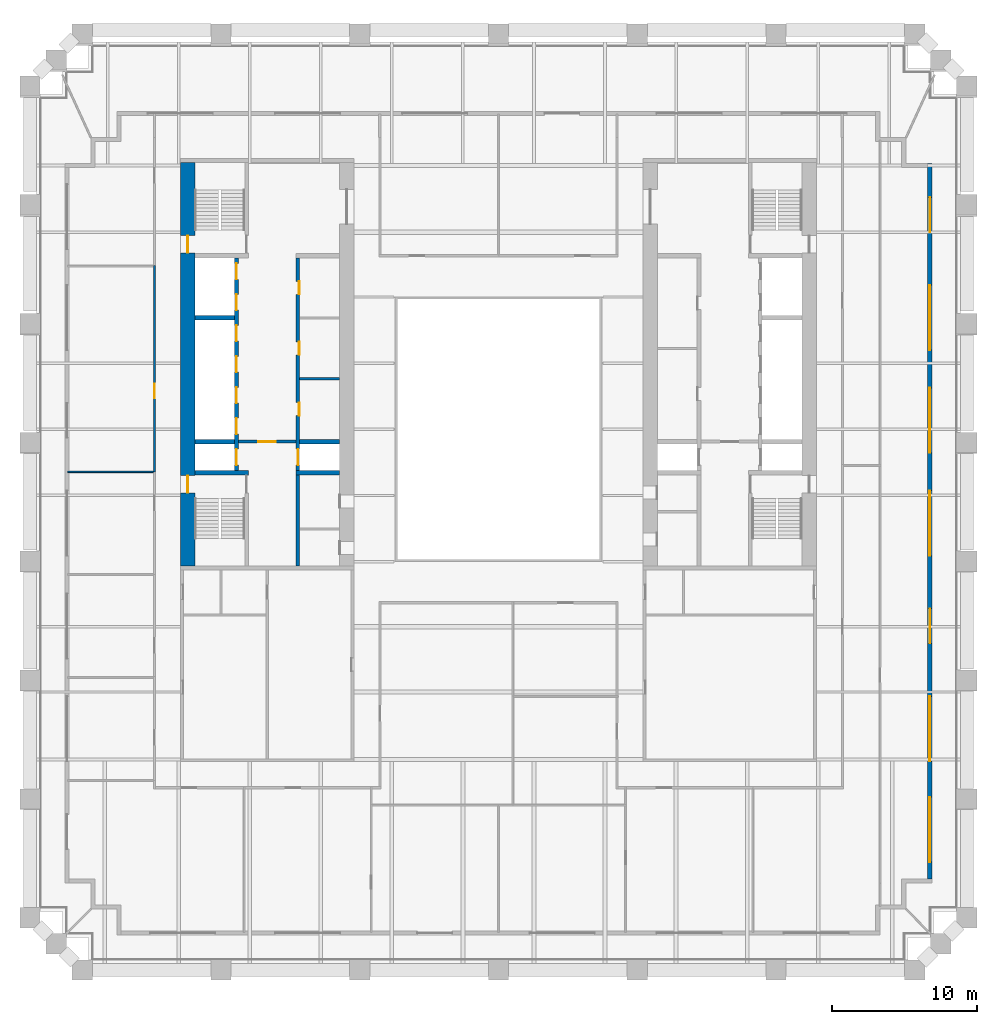
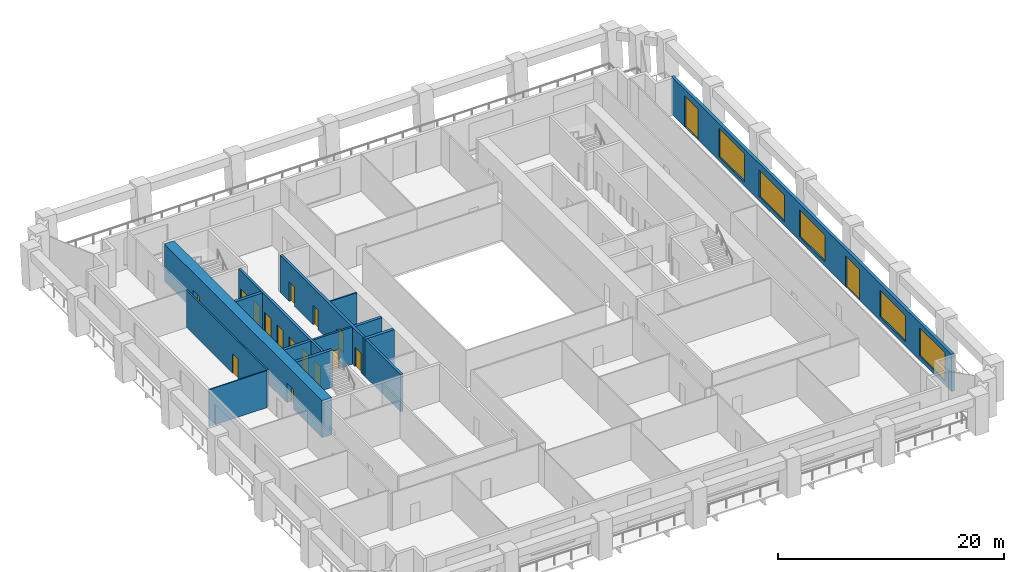
# One storey, part 5 of 10: 17 doors, 13 walls, 5 windows, 22 openings.
"""IFC4 building model written with IfcOpenShell, lengths in metres."""

from ifc_helpers import new_model, si_unit, direction, frame, frame_2d, origin, place, context, subcontext, project, spatial, rectangle, extrude, material, layer, layer_set, type_object, element, fill, save


model = new_model("IFC4")

# Units and contexts
model_context = context("Model", 3, precision=1e-05, world=origin(), true_north=direction((0.0, 1.0)))
body_context = subcontext(model_context, "Body", "Model", "MODEL_VIEW")
ifc_project = project(units=[si_unit("LENGTHUNIT", "METRE"), si_unit("AREAUNIT", "SQUARE_METRE"), si_unit("VOLUMEUNIT", "CUBIC_METRE"), si_unit("PLANEANGLEUNIT", "RADIAN"), si_unit("MASSUNIT", "GRAM", prefix="KILO")], contexts=[model_context])

# Site, building, storey
site_placement = place(None, origin())
site = spatial("IfcSite", under=ifc_project, at=site_placement, CompositionType="ELEMENT")
building_placement = place(site_placement, origin())
building = spatial("IfcBuilding", under=site, at=building_placement, Name="Ogive Exchange Tower", CompositionType="ELEMENT")
storey_placement = place(building_placement, frame((0.0, 0.0, 64.800048828125)))
storey = spatial("IfcBuildingStorey", under=building, at=storey_placement, Name="L13", CompositionType="ELEMENT", Elevation=64.800048828125)

# Wall
ifc_material_1 = material(Name="Gypsum board partition")
ifc_layer_1 = layer(ifc_material_1, 0.14990234375)
ifc_layer_set_1 = layer_set([ifc_layer_1], Name="Core room partition 150 gypsum")
wall_type_1 = type_object("IfcWallType", Name="Core room partition 150 gypsum", PredefinedType="PARTITIONING", material=ifc_layer_set_1)
wall_1_placement = place(storey_placement, frame((-13.75, 10.5, 0.0), z_axis=(0.0, 0.0, 1.0), x_axis=(1.0, 0.0, 0.0)))
element("IfcWall", 1, at=wall_1_placement, inside=storey, type_object=wall_type_1, Name="W row B bay partition 1-1", PredefinedType="PARTITIONING", context=body_context, shape_type="SweptSolid", body=[
    extrude(rectangle(XDim=2.75, YDim=0.14990234375, at=frame_2d((1.375, 0.0))), origin(), (0.0, 0.0, 1.0), 4.0),
])

# Wall, opening, door
ifc_material_2 = material(Name="Fire partition EI 60 150")
ifc_layer_2 = layer(ifc_material_2, 0.14990234375)
ifc_layer_set_2 = layer_set([ifc_layer_2], Name="Fire partition EI 60 150")
wall_type_2 = type_object("IfcWallType", Name="Fire partition EI 60 150", PredefinedType="PARTITIONING", material=ifc_layer_set_2)
wall_2_placement = place(storey_placement, frame((-23.800048828125, 4.06005859375, 0.0), z_axis=(0.0, 0.0, 1.0), x_axis=(0.0, 1.0, 0.0)))
wall_2 = element("IfcWall", 2, at=wall_2_placement, inside=storey, type_object=wall_type_2, Name="L13-PWL-009", PredefinedType="PARTITIONING", context=body_context, shape_type="SweptSolid", body=[
    extrude(rectangle(XDim=14.280029296875, YDim=0.14990234375, at=frame_2d((7.14013671875, 0.0))), origin(), (0.0, 0.0, 1.0), 4.0),
])
opening_1_placement = place(wall_2_placement, frame((5.080078125, 0.0, 0.0)))
opening_1 = element("IfcOpeningElement", 3, at=opening_1_placement, cuts=wall_2, Name="Opening L13-I13", PredefinedType="OPENING", context=body_context, shape_type="SweptSolid", body=[
    extrude(rectangle(XDim=1.0, YDim=2.10009765625, at=frame_2d((0.5, 1.050048828125))), frame((0.0, 0.0849609375, 0.0), z_axis=(0.0, -1.0, 0.0), x_axis=(1.0, 0.0, 0.0)), (0.0, 0.0, 1.0), 0.169921875),
])
ifc_material_3 = material(Name="Fire door FD 30S 1000 x 2100")
door_type_1 = type_object("IfcDoorType", Name="Fire door FD 30S 1000 x 2100", OperationType="NOTDEFINED", PredefinedType="DOOR", material=ifc_material_3)
door_1_placement = place(opening_1_placement, origin())
door_1 = element("IfcDoor", 4, at=door_1_placement, inside=storey, type_object=door_type_1, Name="L13-IDR-013", ObjectType="DT3", OperationType="SINGLE_SWING_LEFT", OverallHeight=2.10009765625, OverallWidth=1.0, PredefinedType="DOOR", context=body_context, shape_type="SweptSolid", body=[
    extrude(rectangle(XDim=1.0, YDim=2.10009765625, at=frame_2d((0.5, 1.050048828125))), frame((0.0, 0.02490234375, 0.0), z_axis=(0.0, -1.0, 0.0), x_axis=(1.0, 0.0, 0.0)), (0.0, 0.0, 1.0), 0.050048828125),
])
fill(opening_1, door_1)

# Wall, openings, doors, windows
ifc_material_4 = material(Name="Precast concrete C40/50", Category="concrete")
ifc_layer_3 = layer(ifc_material_4, 0.300048828125)
ifc_layer_set_3 = layer_set([ifc_layer_3], Name="Limestone-faced wall 300")
wall_type_3 = type_object("IfcWallType", Name="Limestone-faced wall 300", PredefinedType="STANDARD", material=ifc_layer_set_3)
wall_3_placement = place(storey_placement, frame((29.85009765625, -24.10009765625, 0.0), z_axis=(0.0, 0.0, 1.0), x_axis=(0.0, 1.0, 0.0)))
wall_3 = element("IfcWall", 5, at=wall_3_placement, inside=storey, type_object=wall_type_3, Name="External wall E2", PredefinedType="STANDARD", context=body_context, shape_type="SweptSolid", body=[
    extrude(rectangle(XDim=49.5, YDim=0.300048828125, at=frame_2d((24.75, 0.0))), origin(), (0.0, 0.0, 1.0), 4.0),
])
opening_2_placement = place(wall_3_placement, frame((1.156982421875, 0.0, 0.449951171875)))
opening_2 = element("IfcOpeningElement", 6, at=opening_2_placement, cuts=wall_3, Name="Opening W1", PredefinedType="OPENING", context=body_context, shape_type="SweptSolid", body=[
    extrude(rectangle(XDim=4.5, YDim=3.050048828125, at=frame_2d((2.25, 1.52490234375))), frame((0.0, 0.159912109375, 0.0), z_axis=(0.0, -1.0, 0.0), x_axis=(1.0, 0.0, 0.0)), (0.0, 0.0, 1.0), 0.320068359375),
])
opening_3_placement = place(wall_3_placement, frame((8.121337890625, 0.0, 0.449951171875)))
opening_3 = element("IfcOpeningElement", 7, at=opening_3_placement, cuts=wall_3, Name="Opening W1E", PredefinedType="OPENING", context=body_context, shape_type="SweptSolid", body=[
    extrude(rectangle(XDim=4.5, YDim=2.824951171875, at=frame_2d((2.25, 1.41259765625))), frame((0.0, 0.159912109375, 0.0), z_axis=(0.0, -1.0, 0.0), x_axis=(1.0, 0.0, 0.0)), (0.0, 0.0, 1.0), 0.320068359375),
])
opening_4_placement = place(wall_3_placement, frame((16.28564453125, 0.0, 0.0)))
opening_4 = element("IfcOpeningElement", 8, at=opening_4_placement, cuts=wall_3, Name="Opening D1C", PredefinedType="OPENING", context=body_context, shape_type="SweptSolid", body=[
    extrude(rectangle(XDim=2.39990234375, YDim=3.324951171875, at=frame_2d((1.199951171875, 1.66259765625))), frame((0.0, 0.159912109375, 0.0), z_axis=(0.0, -1.0, 0.0), x_axis=(1.0, 0.0, 0.0)), (0.0, 0.0, 1.0), 0.320068359375),
])
opening_5_placement = place(wall_3_placement, frame((22.35009765625, 0.0, 0.449951171875)))
opening_5 = element("IfcOpeningElement", 9, at=opening_5_placement, cuts=wall_3, Name="Opening W1D", PredefinedType="OPENING", context=body_context, shape_type="SweptSolid", body=[
    extrude(rectangle(XDim=4.5, YDim=2.875, at=frame_2d((2.25, 1.4375))), frame((0.0, 0.159912109375, 0.0), z_axis=(0.0, -1.0, 0.0), x_axis=(1.0, 0.0, 0.0)), (0.0, 0.0, 1.0), 0.320068359375),
])
opening_6_placement = place(wall_3_placement, frame((29.464111328125, 0.0, 0.449951171875)))
opening_6 = element("IfcOpeningElement", 10, at=opening_6_placement, cuts=wall_3, Name="Opening W1D", PredefinedType="OPENING", context=body_context, shape_type="SweptSolid", body=[
    extrude(rectangle(XDim=4.5, YDim=2.875, at=frame_2d((2.25, 1.4375))), frame((0.0, 0.159912109375, 0.0), z_axis=(0.0, -1.0, 0.0), x_axis=(1.0, 0.0, 0.0)), (0.0, 0.0, 1.0), 0.320068359375),
])
opening_7_placement = place(wall_3_placement, frame((36.57861328125, 0.0, 0.449951171875)))
opening_7 = element("IfcOpeningElement", 11, at=opening_7_placement, cuts=wall_3, Name="Opening W1", PredefinedType="OPENING", context=body_context, shape_type="SweptSolid", body=[
    extrude(rectangle(XDim=4.5, YDim=3.050048828125, at=frame_2d((2.25, 1.52490234375))), frame((0.0, 0.159912109375, 0.0), z_axis=(0.0, -1.0, 0.0), x_axis=(1.0, 0.0, 0.0)), (0.0, 0.0, 1.0), 0.320068359375),
])
opening_8_placement = place(wall_3_placement, frame((44.742919921875, 0.0, 0.0)))
opening_8 = element("IfcOpeningElement", 12, at=opening_8_placement, cuts=wall_3, Name="Opening D1C", PredefinedType="OPENING", context=body_context, shape_type="SweptSolid", body=[
    extrude(rectangle(XDim=2.39990234375, YDim=3.324951171875, at=frame_2d((1.199951171875, 1.66259765625))), frame((0.0, 0.159912109375, 0.0), z_axis=(0.0, -1.0, 0.0), x_axis=(1.0, 0.0, 0.0)), (0.0, 0.0, 1.0), 0.320068359375),
])
ifc_material_5 = material(Name="Clear glass in bronze frame", Category="glass")
door_type_2 = type_object("IfcDoorType", Name="Sliding loggia door 2400 x 3325", OperationType="DOUBLE_DOOR_SLIDING", PredefinedType="DOOR", material=ifc_material_5)
door_2_placement = place(opening_4_placement, origin())
door_2 = element("IfcDoor", 13, at=door_2_placement, inside=storey, type_object=door_type_2, Name="Loggia door E02", OperationType="DOUBLE_DOOR_SLIDING", OverallHeight=3.324951171875, OverallWidth=2.39990234375, PredefinedType="DOOR", context=body_context, shape_type="SweptSolid", body=[
    extrude(rectangle(XDim=2.39990234375, YDim=3.324951171875, at=frame_2d((1.199951171875, 1.66259765625))), frame((0.0, 0.02490234375, 0.0), z_axis=(0.0, -1.0, 0.0), x_axis=(1.0, 0.0, 0.0)), (0.0, 0.0, 1.0), 0.050048828125),
])
fill(opening_4, door_2)
door_3_placement = place(opening_8_placement, origin())
door_3 = element("IfcDoor", 14, at=door_3_placement, inside=storey, type_object=door_type_2, Name="Loggia door E06", OperationType="DOUBLE_DOOR_SLIDING", OverallHeight=3.324951171875, OverallWidth=2.39990234375, PredefinedType="DOOR", context=body_context, shape_type="SweptSolid", body=[
    extrude(rectangle(XDim=2.39990234375, YDim=3.324951171875, at=frame_2d((1.199951171875, 1.66259765625))), frame((0.0, 0.02490234375, 0.0), z_axis=(0.0, -1.0, 0.0), x_axis=(1.0, 0.0, 0.0)), (0.0, 0.0, 1.0), 0.050048828125),
])
fill(opening_8, door_3)
window_type_1 = type_object("IfcWindowType", Name="Twin lancet window 4500 x 2825", PartitioningType="DOUBLE_PANEL_VERTICAL", PredefinedType="WINDOW", material=ifc_material_5)
window_1_placement = place(opening_3_placement, origin())
window_1 = element("IfcWindow", 15, at=window_1_placement, inside=storey, type_object=window_type_1, Name="Window E01", OverallHeight=2.824951171875, OverallWidth=4.5, PartitioningType="DOUBLE_PANEL_VERTICAL", PredefinedType="WINDOW", context=body_context, shape_type="SweptSolid", body=[
    extrude(rectangle(XDim=4.5, YDim=2.824951171875, at=frame_2d((2.25, 1.41259765625))), frame((0.0, 0.030029296875, 0.0), z_axis=(0.0, -1.0, 0.0), x_axis=(1.0, 0.0, 0.0)), (0.0, 0.0, 1.0), 0.06005859375),
])
fill(opening_3, window_1)
window_type_2 = type_object("IfcWindowType", Name="Twin lancet window 4500 x 2875", PartitioningType="DOUBLE_PANEL_VERTICAL", PredefinedType="WINDOW", material=ifc_material_5)
window_2_placement = place(opening_5_placement, origin())
window_2 = element("IfcWindow", 16, at=window_2_placement, inside=storey, type_object=window_type_2, Name="Window E03", OverallHeight=2.875, OverallWidth=4.5, PartitioningType="DOUBLE_PANEL_VERTICAL", PredefinedType="WINDOW", context=body_context, shape_type="SweptSolid", body=[
    extrude(rectangle(XDim=4.5, YDim=2.875, at=frame_2d((2.25, 1.4375))), frame((0.0, 0.030029296875, 0.0), z_axis=(0.0, -1.0, 0.0), x_axis=(1.0, 0.0, 0.0)), (0.0, 0.0, 1.0), 0.06005859375),
])
fill(opening_5, window_2)
window_3_placement = place(opening_6_placement, origin())
window_3 = element("IfcWindow", 17, at=window_3_placement, inside=storey, type_object=window_type_2, Name="Window E04", OverallHeight=2.875, OverallWidth=4.5, PartitioningType="DOUBLE_PANEL_VERTICAL", PredefinedType="WINDOW", context=body_context, shape_type="SweptSolid", body=[
    extrude(rectangle(XDim=4.5, YDim=2.875, at=frame_2d((2.25, 1.4375))), frame((0.0, 0.030029296875, 0.0), z_axis=(0.0, -1.0, 0.0), x_axis=(1.0, 0.0, 0.0)), (0.0, 0.0, 1.0), 0.06005859375),
])
fill(opening_6, window_3)
window_type_3 = type_object("IfcWindowType", Name="Twin lancet window 4500 x 3050", PartitioningType="DOUBLE_PANEL_VERTICAL", PredefinedType="WINDOW", material=ifc_material_5)
window_4_placement = place(opening_2_placement, origin())
window_4 = element("IfcWindow", 18, at=window_4_placement, inside=storey, type_object=window_type_3, Name="Window E00", OverallHeight=3.050048828125, OverallWidth=4.5, PartitioningType="DOUBLE_PANEL_VERTICAL", PredefinedType="WINDOW", context=body_context, shape_type="SweptSolid", body=[
    extrude(rectangle(XDim=4.5, YDim=3.050048828125, at=frame_2d((2.25, 1.52490234375))), frame((0.0, 0.030029296875, 0.0), z_axis=(0.0, -1.0, 0.0), x_axis=(1.0, 0.0, 0.0)), (0.0, 0.0, 1.0), 0.06005859375),
])
fill(opening_2, window_4)
window_5_placement = place(opening_7_placement, origin())
window_5 = element("IfcWindow", 19, at=window_5_placement, inside=storey, type_object=window_type_3, Name="Window E05", OverallHeight=3.050048828125, OverallWidth=4.5, PartitioningType="DOUBLE_PANEL_VERTICAL", PredefinedType="WINDOW", context=body_context, shape_type="SweptSolid", body=[
    extrude(rectangle(XDim=4.5, YDim=3.050048828125, at=frame_2d((2.25, 1.52490234375))), frame((0.0, 0.030029296875, 0.0), z_axis=(0.0, -1.0, 0.0), x_axis=(1.0, 0.0, 0.0)), (0.0, 0.0, 1.0), 0.06005859375),
])
fill(opening_7, window_5)

# Wall
ifc_material_6 = material(Name="Partition 100 gypsum")
ifc_layer_4 = layer(ifc_material_6, 0.10009765625)
ifc_layer_set_4 = layer_set([ifc_layer_4], Name="Partition 100 gypsum")
wall_type_4 = type_object("IfcWallType", Name="Partition 100 gypsum", PredefinedType="PARTITIONING", material=ifc_layer_set_4)
wall_4_placement = place(storey_placement, frame((-23.875, 4.06005859375, 0.0), z_axis=(0.0, 0.0, 1.0), x_axis=(-1.0, 0.0, 0.0)))
element("IfcWall", 20, at=wall_4_placement, inside=storey, type_object=wall_type_4, Name="L13-PWL-008", PredefinedType="PARTITIONING", context=body_context, shape_type="SweptSolid", body=[
    extrude(rectangle(XDim=5.925048828125, YDim=0.10009765625, at=frame_2d((2.96240234375, 0.0))), origin(), (0.0, 0.0, 1.0), 4.0),
])

# Wall, openings, doors
ifc_material_7 = material(Name="Concrete C70/85", Category="concrete")
ifc_layer_5 = layer(ifc_material_7, 1.0)
ifc_layer_set_5 = layer_set([ifc_layer_5], Name="RC core wall 1000 C70/85")
wall_type_5 = type_object("IfcWallType", Name="RC core wall 1000 C70/85", PredefinedType="SHEAR", material=ifc_layer_set_5)
wall_5_placement = place(storey_placement, frame((-21.5, -2.449951171875, 0.0), z_axis=(0.0, 0.0, 1.0), x_axis=(0.0, 1.0, 0.0)))
wall_5 = element("IfcWall", 21, at=wall_5_placement, inside=storey, type_object=wall_type_5, Name="W outer wall", PredefinedType="SHEAR", context=body_context, shape_type="SweptSolid", body=[
    extrude(rectangle(XDim=27.89990234375, YDim=1.0, at=frame_2d((13.949951171875, 0.0))), origin(), (0.0, 0.0, 1.0), 4.0),
])
opening_9_placement = place(wall_5_placement, frame((5.050048828125, 0.0, 0.0)))
opening_9 = element("IfcOpeningElement", 22, at=opening_9_placement, cuts=wall_5, Name="Opening L13-C15", PredefinedType="OPENING", context=body_context, shape_type="SweptSolid", body=[
    extrude(rectangle(XDim=1.199951171875, YDim=2.10009765625, at=frame_2d((0.60009765625, 1.050048828125))), frame((0.0, 0.510009765625, 0.0), z_axis=(0.0, -1.0, 0.0), x_axis=(1.0, 0.0, 0.0)), (0.0, 0.0, 1.0), 1.02001953125),
])
opening_10_placement = place(wall_5_placement, frame((21.64990234375, 0.0, 0.0)))
opening_10 = element("IfcOpeningElement", 23, at=opening_10_placement, cuts=wall_5, Name="Opening L13-C17", PredefinedType="OPENING", context=body_context, shape_type="SweptSolid", body=[
    extrude(rectangle(XDim=1.199951171875, YDim=2.10009765625, at=frame_2d((0.60009765625, 1.050048828125))), frame((0.0, 0.510009765625, 0.0), z_axis=(0.0, -1.0, 0.0), x_axis=(1.0, 0.0, 0.0)), (0.0, 0.0, 1.0), 1.02001953125),
])
ifc_material_8 = material(Name="Steel fire door", Category="steel")
door_type_3 = type_object("IfcDoorType", Name="Stair door FD90 1200 x 2100", OperationType="NOTDEFINED", PredefinedType="DOOR", material=ifc_material_8)
door_4_placement = place(opening_9_placement, frame((1.199951171875, 0.0, 0.0), z_axis=(0.0, 0.0, 1.0), x_axis=(-1.0, 0.0, 0.0)))
door_4 = element("IfcDoor", 24, at=door_4_placement, inside=storey, type_object=door_type_3, Name="Stair door", ObjectType="CD5", OperationType="SINGLE_SWING_RIGHT", OverallHeight=2.10009765625, OverallWidth=1.199951171875, PredefinedType="DOOR", context=body_context, shape_type="SweptSolid", body=[
    extrude(rectangle(XDim=1.199951171875, YDim=2.10009765625, at=frame_2d((0.60009765625, 1.050048828125))), frame((0.0, 0.02490234375, 0.0), z_axis=(0.0, -1.0, 0.0), x_axis=(1.0, 0.0, 0.0)), (0.0, 0.0, 1.0), 0.050048828125),
])
fill(opening_9, door_4)
door_5_placement = place(opening_10_placement, frame((1.199951171875, 0.0, 0.0), z_axis=(0.0, 0.0, 1.0), x_axis=(-1.0, 0.0, 0.0)))
door_5 = element("IfcDoor", 25, at=door_5_placement, inside=storey, type_object=door_type_3, Name="Stair door", ObjectType="CD5", OperationType="SINGLE_SWING_LEFT", OverallHeight=2.10009765625, OverallWidth=1.199951171875, PredefinedType="DOOR", context=body_context, shape_type="SweptSolid", body=[
    extrude(rectangle(XDim=1.199951171875, YDim=2.10009765625, at=frame_2d((0.60009765625, 1.050048828125))), frame((0.0, 0.02490234375, 0.0), z_axis=(0.0, -1.0, 0.0), x_axis=(1.0, 0.0, 0.0)), (0.0, 0.0, 1.0), 0.050048828125),
])
fill(opening_10, door_5)

# Wall, opening, door
ifc_layer_6 = layer(ifc_material_7, 0.199951171875)
ifc_layer_set_6 = layer_set([ifc_layer_6], Name="RC core wall 200 C70/85")
wall_type_6 = type_object("IfcWallType", Name="RC core wall 200 C70/85", PredefinedType="SHEAR", material=ifc_layer_set_6)
wall_6_placement = place(storey_placement, frame((-18.0, 6.142822265625, 0.0), z_axis=(0.0, 0.0, 1.0), x_axis=(1.0, 0.0, 0.0)))
wall_6 = element("IfcWall", 26, at=wall_6_placement, inside=storey, type_object=wall_type_6, Name="W firefighting lobby wall", PredefinedType="SHEAR", context=body_context, shape_type="SweptSolid", body=[
    extrude(rectangle(XDim=4.0, YDim=0.199951171875, at=frame_2d((2.0, 0.0))), origin(), (0.0, 0.0, 1.0), 4.0),
])
opening_11_placement = place(wall_6_placement, frame((1.39990234375, 0.0, 0.0)))
opening_11 = element("IfcOpeningElement", 27, at=opening_11_placement, cuts=wall_6, Name="Opening L13-C12", PredefinedType="OPENING", context=body_context, shape_type="SweptSolid", body=[
    extrude(rectangle(XDim=1.199951171875, YDim=2.10009765625, at=frame_2d((0.60009765625, 1.050048828125))), frame((0.0, 0.10986328125, 0.0), z_axis=(0.0, -1.0, 0.0), x_axis=(1.0, 0.0, 0.0)), (0.0, 0.0, 1.0), 0.219970703125),
])
door_type_4 = type_object("IfcDoorType", Name="Firefighting lobby door FD60 1200 x 2100", OperationType="NOTDEFINED", PredefinedType="DOOR", material=ifc_material_8)
door_6_placement = place(opening_11_placement, frame((1.199951171875, 0.0, 0.0), z_axis=(0.0, 0.0, 1.0), x_axis=(-1.0, 0.0, 0.0)))
door_6 = element("IfcDoor", 28, at=door_6_placement, inside=storey, type_object=door_type_4, Name="Firefighting lobby door", ObjectType="CD3", OperationType="SINGLE_SWING_RIGHT", OverallHeight=2.10009765625, OverallWidth=1.199951171875, PredefinedType="DOOR", context=body_context, shape_type="SweptSolid", body=[
    extrude(rectangle(XDim=1.199951171875, YDim=2.10009765625, at=frame_2d((0.60009765625, 1.050048828125))), frame((0.0, 0.02490234375, 0.0), z_axis=(0.0, -1.0, 0.0), x_axis=(1.0, 0.0, 0.0)), (0.0, 0.0, 1.0), 0.050048828125),
])
fill(opening_11, door_6)

# Wall, openings, doors
ifc_layer_7 = layer(ifc_material_7, 0.25)
ifc_layer_set_7 = layer_set([ifc_layer_7], Name="RC core wall 250 C70/85")
wall_type_7 = type_object("IfcWallType", Name="RC core wall 250 C70/85", PredefinedType="SHEAR", material=ifc_layer_set_7)
wall_7_placement = place(storey_placement, frame((-18.125, 4.14990234375, 0.0), z_axis=(0.0, 0.0, 1.0), x_axis=(0.0, 1.0, 0.0)))
wall_7 = element("IfcWall", 29, at=wall_7_placement, inside=storey, type_object=wall_type_7, Name="W row A front wall", PredefinedType="SHEAR", context=body_context, shape_type="SweptSolid", body=[
    extrude(rectangle(XDim=14.7001953125, YDim=0.25, at=frame_2d((7.35009765625, 0.0))), origin(), (0.0, 0.0, 1.0), 4.0),
])
opening_12_placement = place(wall_7_placement, frame((0.371337890625, 0.0, 0.0)))
opening_12 = element("IfcOpeningElement", 30, at=opening_12_placement, cuts=wall_7, Name="Opening L13-C01", PredefinedType="OPENING", context=body_context, shape_type="SweptSolid", body=[
    extrude(rectangle(XDim=1.10009765625, YDim=2.10009765625, at=frame_2d((0.550048828125, 1.050048828125))), frame((0.0, 0.135009765625, 0.0), z_axis=(0.0, -1.0, 0.0), x_axis=(1.0, 0.0, 0.0)), (0.0, 0.0, 1.0), 0.27001953125),
])
opening_13_placement = place(wall_7_placement, frame((2.514404296875, 0.0, 0.0)))
opening_13 = element("IfcOpeningElement", 31, at=opening_13_placement, cuts=wall_7, Name="Opening L13-C02", PredefinedType="OPENING", context=body_context, shape_type="SweptSolid", body=[
    extrude(rectangle(XDim=1.10009765625, YDim=2.10009765625, at=frame_2d((0.550048828125, 1.050048828125))), frame((0.0, 0.135009765625, 0.0), z_axis=(0.0, -1.0, 0.0), x_axis=(1.0, 0.0, 0.0)), (0.0, 0.0, 1.0), 0.27001953125),
])
opening_14_placement = place(wall_7_placement, frame((4.656982421875, 0.0, 0.0)))
opening_14 = element("IfcOpeningElement", 32, at=opening_14_placement, cuts=wall_7, Name="Opening L13-C03", PredefinedType="OPENING", context=body_context, shape_type="SweptSolid", body=[
    extrude(rectangle(XDim=1.10009765625, YDim=2.10009765625, at=frame_2d((0.550048828125, 1.050048828125))), frame((0.0, 0.135009765625, 0.0), z_axis=(0.0, -1.0, 0.0), x_axis=(1.0, 0.0, 0.0)), (0.0, 0.0, 1.0), 0.27001953125),
])
opening_15_placement = place(wall_7_placement, frame((6.800048828125, 0.0, 0.0)))
opening_15 = element("IfcOpeningElement", 33, at=opening_15_placement, cuts=wall_7, Name="Opening L13-C04", PredefinedType="OPENING", context=body_context, shape_type="SweptSolid", body=[
    extrude(rectangle(XDim=1.10009765625, YDim=2.10009765625, at=frame_2d((0.550048828125, 1.050048828125))), frame((0.0, 0.135009765625, 0.0), z_axis=(0.0, -1.0, 0.0), x_axis=(1.0, 0.0, 0.0)), (0.0, 0.0, 1.0), 0.27001953125),
])
opening_16_placement = place(wall_7_placement, frame((8.94287109375, 0.0, 0.0)))
opening_16 = element("IfcOpeningElement", 34, at=opening_16_placement, cuts=wall_7, Name="Opening L13-C05", PredefinedType="OPENING", context=body_context, shape_type="SweptSolid", body=[
    extrude(rectangle(XDim=1.10009765625, YDim=2.10009765625, at=frame_2d((0.550048828125, 1.050048828125))), frame((0.0, 0.135009765625, 0.0), z_axis=(0.0, -1.0, 0.0), x_axis=(1.0, 0.0, 0.0)), (0.0, 0.0, 1.0), 0.27001953125),
])
opening_17_placement = place(wall_7_placement, frame((11.085693359375, 0.0, 0.0)))
opening_17 = element("IfcOpeningElement", 35, at=opening_17_placement, cuts=wall_7, Name="Opening L13-C06", PredefinedType="OPENING", context=body_context, shape_type="SweptSolid", body=[
    extrude(rectangle(XDim=1.10009765625, YDim=2.10009765625, at=frame_2d((0.550048828125, 1.050048828125))), frame((0.0, 0.135009765625, 0.0), z_axis=(0.0, -1.0, 0.0), x_axis=(1.0, 0.0, 0.0)), (0.0, 0.0, 1.0), 0.27001953125),
])
opening_18_placement = place(wall_7_placement, frame((13.228515625, 0.0, 0.0)))
opening_18 = element("IfcOpeningElement", 36, at=opening_18_placement, cuts=wall_7, Name="Opening L13-C07", PredefinedType="OPENING", context=body_context, shape_type="SweptSolid", body=[
    extrude(rectangle(XDim=1.10009765625, YDim=2.10009765625, at=frame_2d((0.550048828125, 1.050048828125))), frame((0.0, 0.135009765625, 0.0), z_axis=(0.0, -1.0, 0.0), x_axis=(1.0, 0.0, 0.0)), (0.0, 0.0, 1.0), 0.27001953125),
])
ifc_material_9 = material(Name="Stainless steel", Category="steel")
door_type_5 = type_object("IfcDoorType", Name="Lift landing door FD90 1100 x 2100", OperationType="SLIDING_TO_LEFT", PredefinedType="DOOR", material=ifc_material_9)
door_7_placement = place(opening_12_placement, origin())
door_7 = element("IfcDoor", 37, at=door_7_placement, inside=storey, type_object=door_type_5, Name="Lift landing door FF1", ObjectType="LD", OperationType="SLIDING_TO_LEFT", OverallHeight=2.10009765625, OverallWidth=1.10009765625, PredefinedType="DOOR", context=body_context, shape_type="SweptSolid", body=[
    extrude(rectangle(XDim=1.10009765625, YDim=2.10009765625, at=frame_2d((0.550048828125, 1.050048828125))), frame((0.0, 0.02490234375, 0.0), z_axis=(0.0, -1.0, 0.0), x_axis=(1.0, 0.0, 0.0)), (0.0, 0.0, 1.0), 0.050048828125),
])
fill(opening_12, door_7)
door_8_placement = place(opening_13_placement, origin())
door_8 = element("IfcDoor", 38, at=door_8_placement, inside=storey, type_object=door_type_5, Name="Lift landing door W-L1", ObjectType="LD", OperationType="SLIDING_TO_LEFT", OverallHeight=2.10009765625, OverallWidth=1.10009765625, PredefinedType="DOOR", context=body_context, shape_type="SweptSolid", body=[
    extrude(rectangle(XDim=1.10009765625, YDim=2.10009765625, at=frame_2d((0.550048828125, 1.050048828125))), frame((0.0, 0.02490234375, 0.0), z_axis=(0.0, -1.0, 0.0), x_axis=(1.0, 0.0, 0.0)), (0.0, 0.0, 1.0), 0.050048828125),
])
fill(opening_13, door_8)
door_9_placement = place(opening_14_placement, origin())
door_9 = element("IfcDoor", 39, at=door_9_placement, inside=storey, type_object=door_type_5, Name="Lift landing door W-L2", ObjectType="LD", OperationType="SLIDING_TO_LEFT", OverallHeight=2.10009765625, OverallWidth=1.10009765625, PredefinedType="DOOR", context=body_context, shape_type="SweptSolid", body=[
    extrude(rectangle(XDim=1.10009765625, YDim=2.10009765625, at=frame_2d((0.550048828125, 1.050048828125))), frame((0.0, 0.02490234375, 0.0), z_axis=(0.0, -1.0, 0.0), x_axis=(1.0, 0.0, 0.0)), (0.0, 0.0, 1.0), 0.050048828125),
])
fill(opening_14, door_9)
door_10_placement = place(opening_15_placement, origin())
door_10 = element("IfcDoor", 40, at=door_10_placement, inside=storey, type_object=door_type_5, Name="Lift landing door W-L3", ObjectType="LD", OperationType="SLIDING_TO_LEFT", OverallHeight=2.10009765625, OverallWidth=1.10009765625, PredefinedType="DOOR", context=body_context, shape_type="SweptSolid", body=[
    extrude(rectangle(XDim=1.10009765625, YDim=2.10009765625, at=frame_2d((0.550048828125, 1.050048828125))), frame((0.0, 0.02490234375, 0.0), z_axis=(0.0, -1.0, 0.0), x_axis=(1.0, 0.0, 0.0)), (0.0, 0.0, 1.0), 0.050048828125),
])
fill(opening_15, door_10)
door_11_placement = place(opening_16_placement, origin())
door_11 = element("IfcDoor", 41, at=door_11_placement, inside=storey, type_object=door_type_5, Name="Lift landing door W-L4", ObjectType="LD", OperationType="SLIDING_TO_LEFT", OverallHeight=2.10009765625, OverallWidth=1.10009765625, PredefinedType="DOOR", context=body_context, shape_type="SweptSolid", body=[
    extrude(rectangle(XDim=1.10009765625, YDim=2.10009765625, at=frame_2d((0.550048828125, 1.050048828125))), frame((0.0, 0.02490234375, 0.0), z_axis=(0.0, -1.0, 0.0), x_axis=(1.0, 0.0, 0.0)), (0.0, 0.0, 1.0), 0.050048828125),
])
fill(opening_16, door_11)
door_12_placement = place(opening_17_placement, origin())
door_12 = element("IfcDoor", 42, at=door_12_placement, inside=storey, type_object=door_type_5, Name="Lift landing door W-SH1", ObjectType="LD", OperationType="SLIDING_TO_LEFT", OverallHeight=2.10009765625, OverallWidth=1.10009765625, PredefinedType="DOOR", context=body_context, shape_type="SweptSolid", body=[
    extrude(rectangle(XDim=1.10009765625, YDim=2.10009765625, at=frame_2d((0.550048828125, 1.050048828125))), frame((0.0, 0.02490234375, 0.0), z_axis=(0.0, -1.0, 0.0), x_axis=(1.0, 0.0, 0.0)), (0.0, 0.0, 1.0), 0.050048828125),
])
fill(opening_17, door_12)
door_13_placement = place(opening_18_placement, origin())
door_13 = element("IfcDoor", 43, at=door_13_placement, inside=storey, type_object=door_type_5, Name="Lift landing door W-SH2", ObjectType="LD", OperationType="SLIDING_TO_LEFT", OverallHeight=2.10009765625, OverallWidth=1.10009765625, PredefinedType="DOOR", context=body_context, shape_type="SweptSolid", body=[
    extrude(rectangle(XDim=1.10009765625, YDim=2.10009765625, at=frame_2d((0.550048828125, 1.050048828125))), frame((0.0, 0.02490234375, 0.0), z_axis=(0.0, -1.0, 0.0), x_axis=(1.0, 0.0, 0.0)), (0.0, 0.0, 1.0), 0.050048828125),
])
fill(opening_18, door_13)

wall_8_placement = place(storey_placement, frame((-13.875, -2.449951171875, 0.0), z_axis=(0.0, 0.0, 1.0), x_axis=(0.0, 1.0, 0.0)))
wall_8 = element("IfcWall", 44, at=wall_8_placement, inside=storey, type_object=wall_type_7, Name="W row B front wall", PredefinedType="SHEAR", context=body_context, shape_type="SweptSolid", body=[
    extrude(rectangle(XDim=21.300048828125, YDim=0.25, at=frame_2d((10.64990234375, 0.0))), origin(), (0.0, 0.0, 1.0), 4.0),
])
opening_19_placement = place(wall_8_placement, frame((10.396484375, 0.0, 0.0)))
opening_19 = element("IfcOpeningElement", 45, at=opening_19_placement, cuts=wall_8, Name="Opening L13-C08", PredefinedType="OPENING", context=body_context, shape_type="SweptSolid", body=[
    extrude(rectangle(XDim=0.89990234375, YDim=2.10009765625, at=frame_2d((0.449951171875, 1.050048828125))), frame((0.0, 0.135009765625, 0.0), z_axis=(0.0, -1.0, 0.0), x_axis=(1.0, 0.0, 0.0)), (0.0, 0.0, 1.0), 0.27001953125),
])
opening_20_placement = place(wall_8_placement, frame((14.60009765625, 0.0, 0.0)))
opening_20 = element("IfcOpeningElement", 46, at=opening_20_placement, cuts=wall_8, Name="Opening L13-C09", PredefinedType="OPENING", context=body_context, shape_type="SweptSolid", body=[
    extrude(rectangle(XDim=0.89990234375, YDim=2.10009765625, at=frame_2d((0.449951171875, 1.050048828125))), frame((0.0, 0.135009765625, 0.0), z_axis=(0.0, -1.0, 0.0), x_axis=(1.0, 0.0, 0.0)), (0.0, 0.0, 1.0), 0.27001953125),
])
opening_21_placement = place(wall_8_placement, frame((18.77490234375, 0.0, 0.0)))
opening_21 = element("IfcOpeningElement", 47, at=opening_21_placement, cuts=wall_8, Name="Opening L13-C10", PredefinedType="OPENING", context=body_context, shape_type="SweptSolid", body=[
    extrude(rectangle(XDim=0.89990234375, YDim=2.10009765625, at=frame_2d((0.449951171875, 1.050048828125))), frame((0.0, 0.135009765625, 0.0), z_axis=(0.0, -1.0, 0.0), x_axis=(1.0, 0.0, 0.0)), (0.0, 0.0, 1.0), 0.27001953125),
])
opening_22_placement = place(wall_8_placement, frame((6.971435546875, 0.0, 0.0)))
opening_22 = element("IfcOpeningElement", 48, at=opening_22_placement, cuts=wall_8, Name="Opening L13-C11", PredefinedType="OPENING", context=body_context, shape_type="SweptSolid", body=[
    extrude(rectangle(XDim=1.10009765625, YDim=2.10009765625, at=frame_2d((0.550048828125, 1.050048828125))), frame((0.0, 0.135009765625, 0.0), z_axis=(0.0, -1.0, 0.0), x_axis=(1.0, 0.0, 0.0)), (0.0, 0.0, 1.0), 0.27001953125),
])
door_14_placement = place(opening_22_placement, origin())
door_14 = element("IfcDoor", 49, at=door_14_placement, inside=storey, type_object=door_type_5, Name="Lift landing door SV1", ObjectType="LD", OperationType="SLIDING_TO_LEFT", OverallHeight=2.10009765625, OverallWidth=1.10009765625, PredefinedType="DOOR", context=body_context, shape_type="SweptSolid", body=[
    extrude(rectangle(XDim=1.10009765625, YDim=2.10009765625, at=frame_2d((0.550048828125, 1.050048828125))), frame((0.0, 0.02490234375, 0.0), z_axis=(0.0, -1.0, 0.0), x_axis=(1.0, 0.0, 0.0)), (0.0, 0.0, 1.0), 0.050048828125),
])
fill(opening_22, door_14)
door_type_6 = type_object("IfcDoorType", Name="Riser door FD60 900 x 2100", OperationType="NOTDEFINED", PredefinedType="DOOR", material=ifc_material_8)
door_15_placement = place(opening_19_placement, frame((0.89990234375, -0.2001953125, 0.0), z_axis=(0.0, 0.0, 1.0), x_axis=(-1.0, 0.0, 0.0)))
door_15 = element("IfcDoor", 50, at=door_15_placement, inside=storey, type_object=door_type_6, Name="Riser door", ObjectType="CD2", OperationType="SINGLE_SWING_LEFT", OverallHeight=2.10009765625, OverallWidth=0.89990234375, PredefinedType="DOOR", context=body_context, shape_type="SweptSolid", body=[
    extrude(rectangle(XDim=0.89990234375, YDim=2.10009765625, at=frame_2d((0.449951171875, 1.050048828125))), frame((0.0, -0.0751953125, 0.0), z_axis=(0.0, -1.0, 0.0), x_axis=(1.0, 0.0, 0.0)), (0.0, 0.0, 1.0), 0.050048828125),
])
fill(opening_19, door_15)
door_16_placement = place(opening_20_placement, frame((0.89990234375, -0.2001953125, 0.0), z_axis=(0.0, 0.0, 1.0), x_axis=(-1.0, 0.0, 0.0)))
door_16 = element("IfcDoor", 51, at=door_16_placement, inside=storey, type_object=door_type_6, Name="Riser door", ObjectType="CD2", OperationType="SINGLE_SWING_LEFT", OverallHeight=2.10009765625, OverallWidth=0.89990234375, PredefinedType="DOOR", context=body_context, shape_type="SweptSolid", body=[
    extrude(rectangle(XDim=0.89990234375, YDim=2.10009765625, at=frame_2d((0.449951171875, 1.050048828125))), frame((0.0, -0.0751953125, 0.0), z_axis=(0.0, -1.0, 0.0), x_axis=(1.0, 0.0, 0.0)), (0.0, 0.0, 1.0), 0.050048828125),
])
fill(opening_20, door_16)
door_17_placement = place(opening_21_placement, frame((0.89990234375, -0.2001953125, 0.0), z_axis=(0.0, 0.0, 1.0), x_axis=(-1.0, 0.0, 0.0)))
door_17 = element("IfcDoor", 52, at=door_17_placement, inside=storey, type_object=door_type_6, Name="Riser door", ObjectType="CD2", OperationType="SINGLE_SWING_RIGHT", OverallHeight=2.10009765625, OverallWidth=0.89990234375, PredefinedType="DOOR", context=body_context, shape_type="SweptSolid", body=[
    extrude(rectangle(XDim=0.89990234375, YDim=2.10009765625, at=frame_2d((0.449951171875, 1.050048828125))), frame((0.0, -0.0751953125, 0.0), z_axis=(0.0, -1.0, 0.0), x_axis=(1.0, 0.0, 0.0)), (0.0, 0.0, 1.0), 0.050048828125),
])
fill(opening_21, door_17)

# Walls
ifc_layer_8 = layer(ifc_material_7, 0.300048828125)
ifc_layer_set_8 = layer_set([ifc_layer_8], Name="RC core wall 300 C70/85")
wall_type_8 = type_object("IfcWallType", Name="RC core wall 300 C70/85", PredefinedType="SHEAR", material=ifc_layer_set_8)
wall_9_placement = place(storey_placement, frame((-21.0, 4.0, 0.0), z_axis=(0.0, 0.0, 1.0), x_axis=(1.0, 0.0, 0.0)))
element("IfcWall", 53, at=wall_9_placement, inside=storey, type_object=wall_type_8, Name="W stair S north wall", PredefinedType="SHEAR", context=body_context, shape_type="SweptSolid", body=[
    extrude(rectangle(XDim=3.699951171875, YDim=0.300048828125, at=frame_2d((1.85009765625, 0.0))), origin(), (0.0, 0.0, 1.0), 4.0),
])
for number, where, z_axis, x_axis, name in (
    (54, (-21.0, 6.142822265625, 0.0), (0.0, 0.0, 1.0), (1.0, 0.0, 0.0), "W row A divider 1"),
    (55, (-21.0, 14.71435546875, 0.0), (0.0, 0.0, 1.0), (1.0, 0.0, 0.0), "W row A divider 5"),
):
    element("IfcWall", number, at=place(storey_placement, frame(where, z_axis=z_axis, x_axis=x_axis)), inside=storey, type_object=wall_type_8, Name=name, PredefinedType="SHEAR", context=body_context, shape_type="SweptSolid", body=[
        extrude(rectangle(XDim=2.75, YDim=0.300048828125, at=frame_2d((1.375, 0.0))), origin(), (0.0, 0.0, 1.0), 4.0),
    ])
wall_10_placement = place(storey_placement, frame((-14.0, 4.0, 0.0), z_axis=(0.0, 0.0, 1.0), x_axis=(1.0, 0.0, 0.0)))
element("IfcWall", 56, at=wall_10_placement, inside=storey, type_object=wall_type_8, Name="W row B divider 0", PredefinedType="SHEAR", context=body_context, shape_type="SweptSolid", body=[
    extrude(rectangle(XDim=3.0, YDim=0.300048828125, at=frame_2d((1.5, 0.0))), origin(), (0.0, 0.0, 1.0), 4.0),
])
wall_11_placement = place(storey_placement, frame((-13.75, 6.142822265625, 0.0), z_axis=(0.0, 0.0, 1.0), x_axis=(1.0, 0.0, 0.0)))
element("IfcWall", 57, at=wall_11_placement, inside=storey, type_object=wall_type_8, Name="W row B divider 1", PredefinedType="SHEAR", context=body_context, shape_type="SweptSolid", body=[
    extrude(rectangle(XDim=2.75, YDim=0.300048828125, at=frame_2d((1.375, 0.0))), origin(), (0.0, 0.0, 1.0), 4.0),
])

save(model, "model.ifc")
